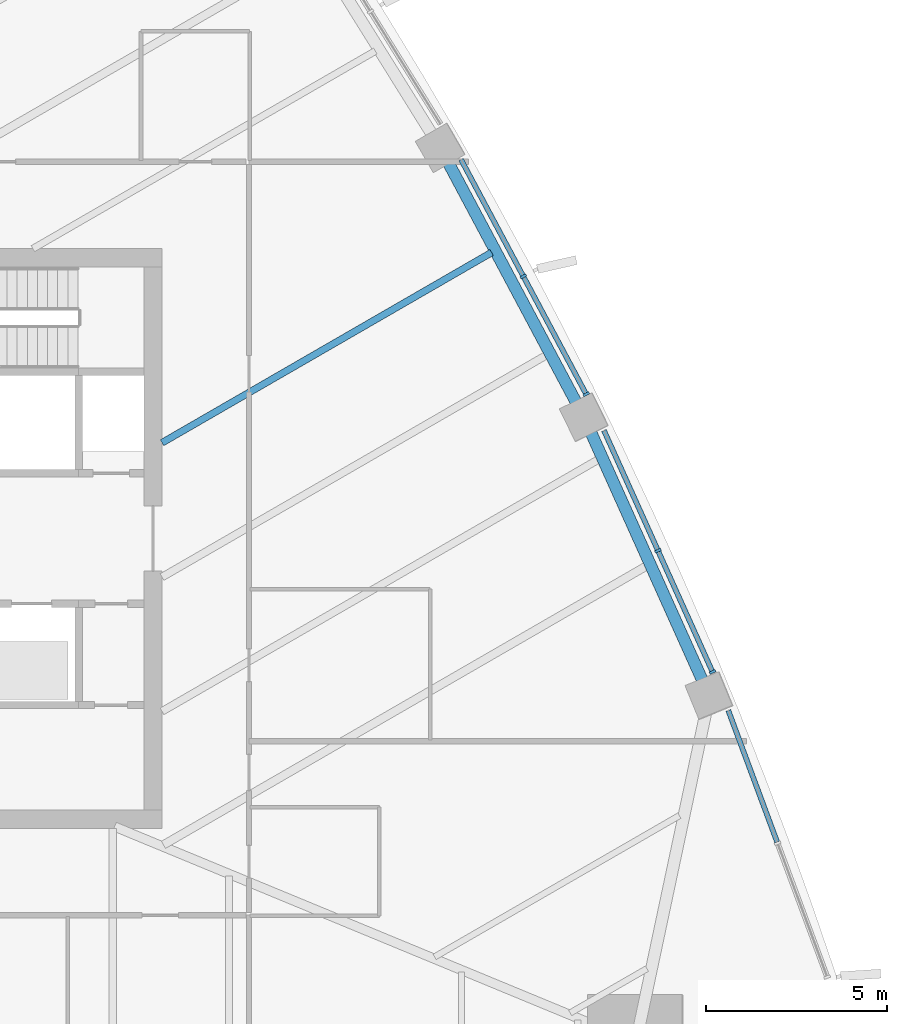
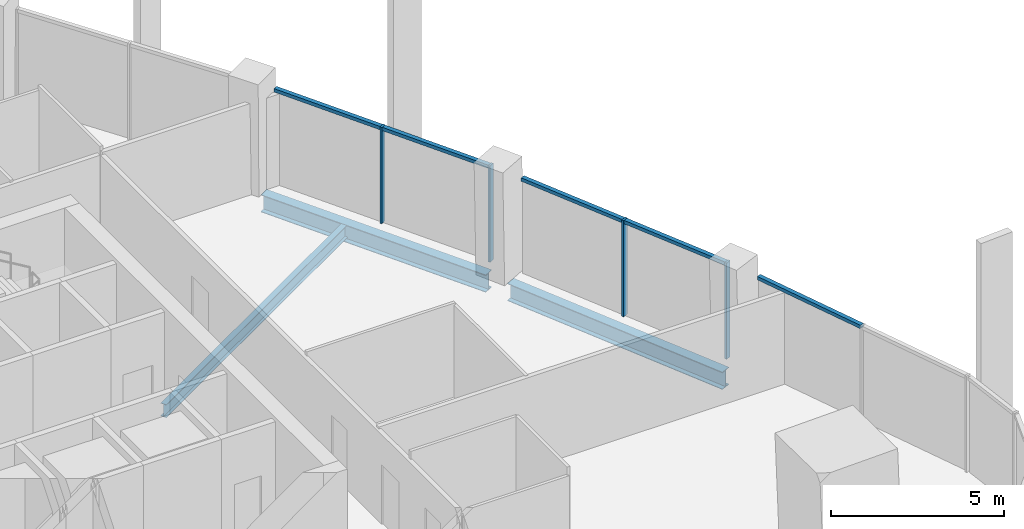
# One storey, part 5 of 20: 9 members, 3 beams, 3 elements without a shape of their own.
"""IFC4 building model written with IfcOpenShell, lengths in metres."""

from ifc_helpers import new_model, si_unit, direction, frame, origin, origin_2d, place, context, subcontext, project, spatial, rectangle, i_section, extrude, material, layer, layer_set, material_profile, profile_set, type_object, element, aggregate, save


model = new_model("IFC4")

# Units and contexts
model_context = context("Model", 3, precision=1e-05, world=origin(), true_north=direction((0.0, 1.0)))
body_context = subcontext(model_context, "Body", "Model", "MODEL_VIEW")
ifc_project = project(units=[si_unit("LENGTHUNIT", "METRE"), si_unit("AREAUNIT", "SQUARE_METRE"), si_unit("VOLUMEUNIT", "CUBIC_METRE"), si_unit("PLANEANGLEUNIT", "RADIAN"), si_unit("MASSUNIT", "GRAM", prefix="KILO")], contexts=[model_context])

# Site, building, storey
site_placement = place(None, origin())
site = spatial("IfcSite", under=ifc_project, at=site_placement, CompositionType="ELEMENT")
building_placement = place(site_placement, origin())
building = spatial("IfcBuilding", under=site, at=building_placement, Name="Sierra Prisma Convention Tower", CompositionType="ELEMENT")
storey_placement = place(building_placement, frame((0.0, 0.0, 161.800048828125)))
storey = spatial("IfcBuildingStorey", under=building, at=storey_placement, Name="L35", CompositionType="ELEMENT", Elevation=161.800048828125)

# Curtain wall, members
ifc_material_1 = material(Name="Aluminium and glass curtain wall", Category="aluminium")
ifc_layer = layer(ifc_material_1, 0.179931640625)
ifc_layer_set = layer_set([ifc_layer], Name="CW-1 Plain shaft curtain wall")
curtain_wall_type = type_object("IfcCurtainWallType", Name="CW-1 Plain shaft curtain wall", PredefinedType="NOTDEFINED", material=ifc_layer_set)
curtain_wall_1_placement = place(storey_placement, origin())
curtain_wall_1 = element("IfcCurtainWall", 1, at=curtain_wall_1_placement, inside=storey, type_object=curtain_wall_type, Name="CW-1 NE2 L35", PredefinedType="NOTDEFINED")
ifc_material_2 = material(Name="Aluminium 6063-T6 bronze anodised", Category="aluminium")
ifc_material_profile_1 = material_profile(ifc_material_2, rectangle(XDim=0.179931640625, YDim=0.070068359375, at=origin_2d()), Name="ALU MULLION 70x180")
ifc_profile_set_1 = profile_set([ifc_material_profile_1], Name="Aluminium 6063-T6 bronze anodised")
member_type_1 = type_object("IfcMemberType", Name="CW mullion bronze", PredefinedType="MULLION", material=ifc_profile_set_1)
member_1_placement = place(storey_placement, frame((26.197265625, -3.684326171875, 0.0), z_axis=(0.0, 0.0, 1.0), x_axis=(-0.912028277106, -0.410127323839, 0.0)))
member_1 = element("IfcMember", 2, at=member_1_placement, type_object=member_type_1, Name="CW-1 mullion NE2.1", PredefinedType="MULLION", context=body_context, shape_type="SweptSolid", body=[
    extrude(rectangle(XDim=0.179931640625, YDim=0.070068359375, at=origin_2d()), origin(), (0.0, 0.0, 1.0), 3.39990234375),
])
member_2_placement = place(storey_placement, frame((24.691650390625, -0.3359375, 0.0), z_axis=(0.0, 0.0, 1.0), x_axis=(-0.912028277106, -0.410127323839, 0.0)))
member_2 = element("IfcMember", 3, at=member_2_placement, type_object=member_type_1, Name="CW-1 mullion NE2.2", PredefinedType="MULLION", context=body_context, shape_type="SweptSolid", body=[
    extrude(rectangle(XDim=0.179931640625, YDim=0.070068359375, at=origin_2d()), origin(), (0.0, 0.0, 1.0), 3.39990234375),
])

curtain_wall_2_placement = place(storey_placement, origin())
curtain_wall_2 = element("IfcCurtainWall", 4, at=curtain_wall_2_placement, inside=storey, type_object=curtain_wall_type, Name="CW-1 NE3 L35", PredefinedType="NOTDEFINED")
member_3_placement = place(storey_placement, frame((22.708984375, 3.983154296875, 0.0), z_axis=(0.0, 0.0, 1.0), x_axis=(-0.882365609819, -0.47056448082, 0.0)))
member_3 = element("IfcMember", 5, at=member_3_placement, type_object=member_type_1, Name="CW-1 mullion NE3.1", PredefinedType="MULLION", context=body_context, shape_type="SweptSolid", body=[
    extrude(rectangle(XDim=0.179931640625, YDim=0.070068359375, at=origin_2d()), origin(), (0.0, 0.0, 1.0), 3.39990234375),
])
member_4_placement = place(storey_placement, frame((20.973876953125, 7.236572265625, 0.0), z_axis=(0.0, 0.0, 1.0), x_axis=(-0.882365609819, -0.47056448082, 0.0)))
member_4 = element("IfcMember", 6, at=member_4_placement, type_object=member_type_1, Name="CW-1 mullion NE3.2", PredefinedType="MULLION", context=body_context, shape_type="SweptSolid", body=[
    extrude(rectangle(XDim=0.179931640625, YDim=0.070068359375, at=origin_2d()), origin(), (0.0, 0.0, 1.0), 3.39990234375),
])

# Curtain wall, member
curtain_wall_3_placement = place(storey_placement, origin())
curtain_wall_3 = element("IfcCurtainWall", 7, at=curtain_wall_3_placement, inside=storey, type_object=curtain_wall_type, Name="CW-1 NE1 L35", PredefinedType="NOTDEFINED")
ifc_material_3 = material(Name="Aluminium 6063-T6 bronze anodised", Category="aluminium")
ifc_material_profile_2 = material_profile(ifc_material_3, rectangle(XDim=0.139892578125, YDim=0.1201171875, at=origin_2d()), Name="ALU TRANSOM 120x140")
ifc_profile_set_2 = profile_set([ifc_material_profile_2], Name="Aluminium 6063-T6 bronze anodised")
member_type_2 = type_object("IfcMemberType", Name="CW transom bronze", PredefinedType="USERDEFINED", material=ifc_profile_set_2)
member_5_placement = place(storey_placement, frame((27.98046875, -8.378662109375, 3.33984375), z_axis=(-0.34787474058, 0.937541020365, 0.0), x_axis=(-0.937541020365, -0.34787474058, 0.0)))
member_5 = element("IfcMember", 8, at=member_5_placement, type_object=member_type_2, Name="CW-1 transom NE1.2", ObjectType="TRANSOM", PredefinedType="USERDEFINED", context=body_context, shape_type="SweptSolid", body=[
    extrude(rectangle(XDim=0.139892578125, YDim=0.1201171875, at=origin_2d()), origin(), (0.0, 0.0, 1.0), 3.873291015625),
])
aggregate(curtain_wall_3, [member_5])

# Member
member_6_placement = place(storey_placement, frame((26.182861328125, -3.65234375, 3.33984375), z_axis=(-0.41014761537, 0.912019151995, 0.0), x_axis=(-0.912019151995, -0.41014761537, 0.0)))
member_6 = element("IfcMember", 9, at=member_6_placement, type_object=member_type_2, Name="CW-1 transom NE2.1", ObjectType="TRANSOM", PredefinedType="USERDEFINED", context=body_context, shape_type="SweptSolid", body=[
    extrude(rectangle(XDim=0.139892578125, YDim=0.1201171875, at=origin_2d()), origin(), (0.0, 0.0, 1.0), 3.601318359375),
])

member_7_placement = place(storey_placement, frame((24.67724609375, -0.30419921875, 3.33984375), z_axis=(-0.41014761537, 0.912019151995, 0.0), x_axis=(-0.912019151995, -0.41014761537, 0.0)))
member_7 = element("IfcMember", 10, at=member_7_placement, type_object=member_type_2, Name="CW-1 transom NE2.2", ObjectType="TRANSOM", PredefinedType="USERDEFINED", context=body_context, shape_type="SweptSolid", body=[
    extrude(rectangle(XDim=0.139892578125, YDim=0.1201171875, at=origin_2d()), origin(), (0.0, 0.0, 1.0), 3.601318359375),
])

aggregate(curtain_wall_1, [member_1, member_2, member_6, member_7])

member_8_placement = place(storey_placement, frame((22.6923828125, 4.01416015625, 3.33984375), z_axis=(-0.470574222459, 0.882360414545, 0.0), x_axis=(-0.882360414545, -0.470574222459, 0.0)))
member_8 = element("IfcMember", 11, at=member_8_placement, type_object=member_type_2, Name="CW-1 transom NE3.1", ObjectType="TRANSOM", PredefinedType="USERDEFINED", context=body_context, shape_type="SweptSolid", body=[
    extrude(rectangle(XDim=0.139892578125, YDim=0.1201171875, at=origin_2d()), origin(), (0.0, 0.0, 1.0), 3.6171875),
])

member_9_placement = place(storey_placement, frame((20.957275390625, 7.267578125, 3.33984375), z_axis=(-0.470574222459, 0.882360414545, 0.0), x_axis=(-0.882360414545, -0.470574222459, 0.0)))
member_9 = element("IfcMember", 12, at=member_9_placement, type_object=member_type_2, Name="CW-1 transom NE3.2", ObjectType="TRANSOM", PredefinedType="USERDEFINED", context=body_context, shape_type="SweptSolid", body=[
    extrude(rectangle(XDim=0.139892578125, YDim=0.1201171875, at=origin_2d()), origin(), (0.0, 0.0, 1.0), 3.6171875),
])

aggregate(curtain_wall_2, [member_3, member_4, member_8, member_9])

# Beams
ifc_material_4 = material(Name="Steel ASTM A992 Gr 50", Category="steel")
ifc_material_profile_3 = material_profile(ifc_material_4, i_section(OverallWidth=0.18994140625, OverallDepth=0.45703125, WebThickness=0.009033203125, FlangeThickness=0.014404296875, at=origin_2d()), Name="W460x74")
ifc_profile_set_3 = profile_set([ifc_material_profile_3], Name="Steel ASTM A992 Gr 50")
beam_type_1 = type_object("IfcBeamType", Name="Floor joist W460x74", PredefinedType="JOIST", material=ifc_profile_set_3)
beam_placement = place(storey_placement, frame((20.098388671875, 7.895751953125, -0.378662109375), z_axis=(-0.866026535635, -0.499998039572, 0.0), x_axis=(0.499998039572, -0.866026535635, 0.0)))
element("IfcBeam", 13, at=beam_placement, inside=storey, type_object=beam_type_1, Name="Floor joist L35 NE07", PredefinedType="JOIST", context=body_context, shape_type="SweptSolid", body=[
    extrude(i_section(OverallWidth=0.18994140625, OverallDepth=0.45703125, WebThickness=0.009033203125, FlangeThickness=0.014404296875, at=origin_2d()), origin(), (0.0, 0.0, 1.0), 10.505859375),
])
ifc_material_5 = material(Name="Steel ASTM A992 Gr 50", Category="steel")
ifc_material_profile_4 = material_profile(ifc_material_5, i_section(OverallWidth=0.324951171875, OverallDepth=0.615966796875, WebThickness=0.013916015625, FlangeThickness=0.021484375, at=origin_2d()), Name="W610x174")
ifc_profile_set_4 = profile_set([ifc_material_profile_4], Name="Steel ASTM A992 Gr 50")
beam_type_2 = type_object("IfcBeamType", Name="Spandrel beam W610x174", PredefinedType="BEAM", material=ifc_profile_set_4)
for number, where, z_axis, x_axis, name in (
    (14, (25.955078125, -3.998779296875, -0.4580078125), (-0.410117253312, 0.912032805625, 0.0), (-0.912032805625, -0.410117253312, 0.0), "Spandrel L35-08"),
    (15, (22.473388671875, 3.681396484375, -0.4580078125), (-0.470566765789, 0.882364391244, 0.0), (-0.882364391244, -0.470566765789, 0.0), "Spandrel L35-09"),
):
    element("IfcBeam", number, at=place(storey_placement, frame(where, z_axis=z_axis, x_axis=x_axis)), inside=storey, type_object=beam_type_2, Name=name, PredefinedType="BEAM", context=body_context, shape_type="SweptSolid", body=[
        extrude(i_section(OverallWidth=0.324951171875, OverallDepth=0.615966796875, WebThickness=0.013916015625, FlangeThickness=0.021484375, at=origin_2d()), origin(), (0.0, 0.0, 1.0), 7.6728515625),
    ])

save(model, "model.ifc")
